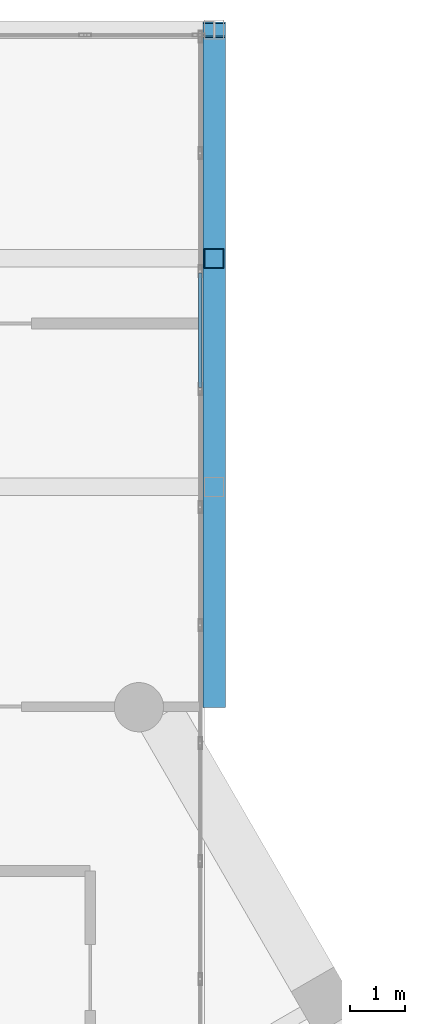
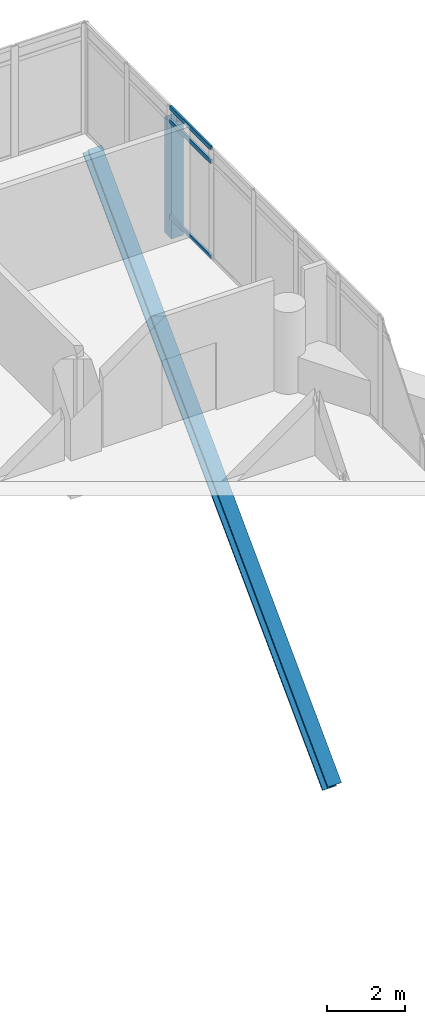
# One storey, part 22 of 34: 5 members, 1 element without a shape of its own.
"""IFC4 building model written with IfcOpenShell, lengths in metres."""

from ifc_helpers import new_model, si_unit, direction, frame, origin, origin_2d, place, context, subcontext, project, spatial, hollow_rectangle, i_section, extrude, material, material_profile, profile_set, type_object, element, aggregate, save


model = new_model("IFC4")

# Units and contexts
model_context = context("Model", 3, precision=1e-05, world=origin(), true_north=direction((0.0, 1.0)))
body_context = subcontext(model_context, "Body", "Model", "MODEL_VIEW")
ifc_project = project(units=[si_unit("LENGTHUNIT", "METRE"), si_unit("AREAUNIT", "SQUARE_METRE"), si_unit("VOLUMEUNIT", "CUBIC_METRE"), si_unit("PLANEANGLEUNIT", "RADIAN"), si_unit("MASSUNIT", "GRAM", prefix="KILO")], contexts=[model_context])

# Site, building, storey
site_placement = place(None, origin())
site = spatial("IfcSite", under=ifc_project, at=site_placement, CompositionType="ELEMENT")
building_placement = place(site_placement, origin())
building = spatial("IfcBuilding", under=site, at=building_placement, Name="Ostrander Bayou Hotel Tower", CompositionType="ELEMENT")
storey_placement = place(building_placement, frame((0.0, 0.0, 222.0)))
storey = spatial("IfcBuildingStorey", under=building, at=storey_placement, Name="L55", CompositionType="ELEMENT", Elevation=222.0)

# Curtain wall, members
ifc_material_1 = material(Name="Aluminium and clear glass", Category="aluminium")
curtain_wall_type = type_object("IfcCurtainWallType", Name="CW-BAR glazed wall", PredefinedType="NOTDEFINED", material=ifc_material_1)
curtain_wall_placement = place(storey_placement, origin())
curtain_wall = element("IfcCurtainWall", 1, at=curtain_wall_placement, inside=storey, type_object=curtain_wall_type, Name="CW-BAR L55:SB5N:W", PredefinedType="NOTDEFINED")
ifc_material_2 = material(Name="Aluminium", Category="aluminium")
ifc_material_profile_1 = material_profile(ifc_material_2, hollow_rectangle(XDim=0.06005859375, YDim=0.1298828125, WallThickness=0.00390625, at=origin_2d()))
ifc_profile_set_1 = profile_set([ifc_material_profile_1], Name="Aluminium")
member_type_1 = type_object("IfcMemberType", Name="CW-BR transom 60 x 130 mm", PredefinedType="USERDEFINED", material=ifc_profile_set_1)
member_1_placement = place(storey_placement, frame((10.51220703125, 22.429443359375, 0.030029296875), z_axis=(0.0, 1.0, 0.0), x_axis=(-1.0, 0.0, 0.0)))
member_1 = element("IfcMember", 2, at=member_1_placement, type_object=member_type_1, Name="CW-BAR transom 7.1", ObjectType="TRANSOM", PredefinedType="USERDEFINED", context=body_context, shape_type="SweptSolid", body=[
    extrude(hollow_rectangle(XDim=0.06005859375, YDim=0.1298828125, WallThickness=0.00390625, at=origin_2d()), origin(), (0.0, 0.0, 1.0), 2.095703125),
])
member_2_placement = place(storey_placement, frame((10.51220703125, 22.429443359375, 3.0), z_axis=(0.0, 1.0, 0.0), x_axis=(-1.0, 0.0, 0.0)))
member_2 = element("IfcMember", 3, at=member_2_placement, type_object=member_type_1, Name="CW-BAR transom 7.2", ObjectType="TRANSOM", PredefinedType="USERDEFINED", context=body_context, shape_type="SweptSolid", body=[
    extrude(hollow_rectangle(XDim=0.06005859375, YDim=0.1298828125, WallThickness=0.00390625, at=origin_2d()), origin(), (0.0, 0.0, 1.0), 2.095703125),
])
member_3_placement = place(storey_placement, frame((10.51220703125, 22.429443359375, 3.419921875), z_axis=(0.0, 1.0, 0.0), x_axis=(-1.0, 0.0, 0.0)))
member_3 = element("IfcMember", 4, at=member_3_placement, type_object=member_type_1, Name="CW-BAR transom 7.3", ObjectType="TRANSOM", PredefinedType="USERDEFINED", context=body_context, shape_type="SweptSolid", body=[
    extrude(hollow_rectangle(XDim=0.06005859375, YDim=0.1298828125, WallThickness=0.00390625, at=origin_2d()), origin(), (0.0, 0.0, 1.0), 2.095703125),
])
aggregate(curtain_wall, [member_1, member_2, member_3])

# Members
ifc_material_3 = material(Name="Steel ASTM A500 Gr C", Category="steel")
ifc_material_profile_2 = material_profile(ifc_material_3, hollow_rectangle(XDim=0.355712890625, YDim=0.355712890625, WallThickness=0.0087890625, at=origin_2d()))
ifc_profile_set_2 = profile_set([ifc_material_profile_2], Name="Steel ASTM A500 Gr C")
member_type_2 = type_object("IfcMemberType", Name="TH3 bar hanger HSS14x14x3/8", PredefinedType="POST", material=ifc_profile_set_2)
member_4_placement = place(storey_placement, frame((10.764892578125, 24.790283203125, -0.760986328125), z_axis=(0.0, 0.0, 1.0), x_axis=(1.0, 0.0, 0.0)))
element("IfcMember", 5, at=member_4_placement, inside=storey, type_object=member_type_2, Name="TH3 SB5WB H2-1", PredefinedType="POST", context=body_context, shape_type="SweptSolid", body=[
    extrude(hollow_rectangle(XDim=0.355712890625, YDim=0.355712890625, WallThickness=0.0087890625, at=origin_2d()), origin(), (0.0, 0.0, 1.0), 3.599853515625),
])
ifc_material_4 = material(Name="Steel ASTM A992", Category="steel")
ifc_material_profile_3 = material_profile(ifc_material_4, i_section(OverallWidth=0.403564453125, OverallDepth=0.407470703125, WebThickness=0.027099609375, FlangeThickness=0.043701171875, at=origin_2d()))
ifc_profile_set_3 = profile_set([ifc_material_profile_3], Name="Steel ASTM A992")
member_type_3 = type_object("IfcMemberType", Name="TK2 bar kicker strut W14x233", PredefinedType="BRACE", material=ifc_profile_set_3)
member_5_placement = place(storey_placement, frame((10.764892578125, 28.966552734375, -0.6611328125), z_axis=(0.0, -0.701318943356, -0.712847627259), x_axis=(1.0, 0.0, 0.0)))
element("IfcMember", 6, at=member_5_placement, inside=storey, type_object=member_type_3, Name="TK2 SB5WB kicker", PredefinedType="BRACE", context=body_context, shape_type="SweptSolid", body=[
    extrude(i_section(OverallWidth=0.403564453125, OverallDepth=0.407470703125, WebThickness=0.027099609375, FlangeThickness=0.043701171875, at=origin_2d()), origin(), (0.0, 0.0, 1.0), 17.44970703125),
])

save(model, "model.ifc")
